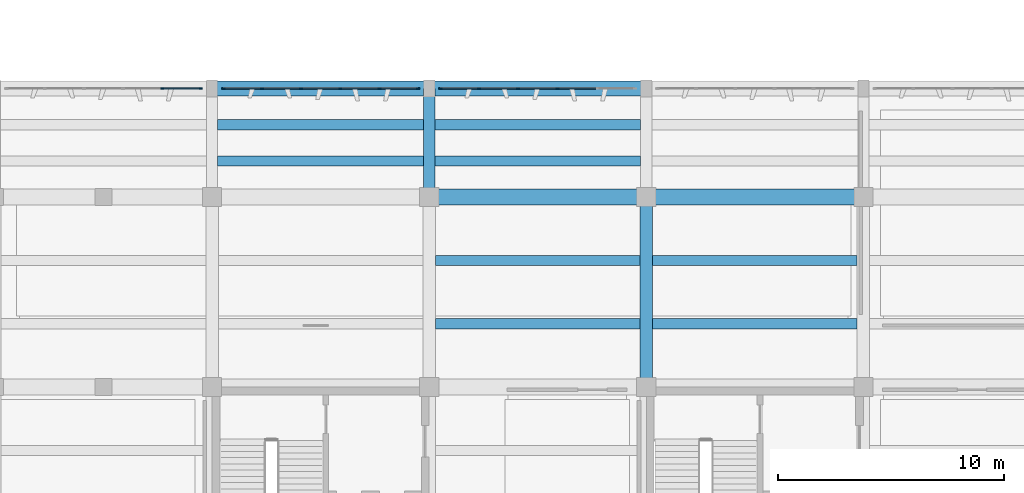
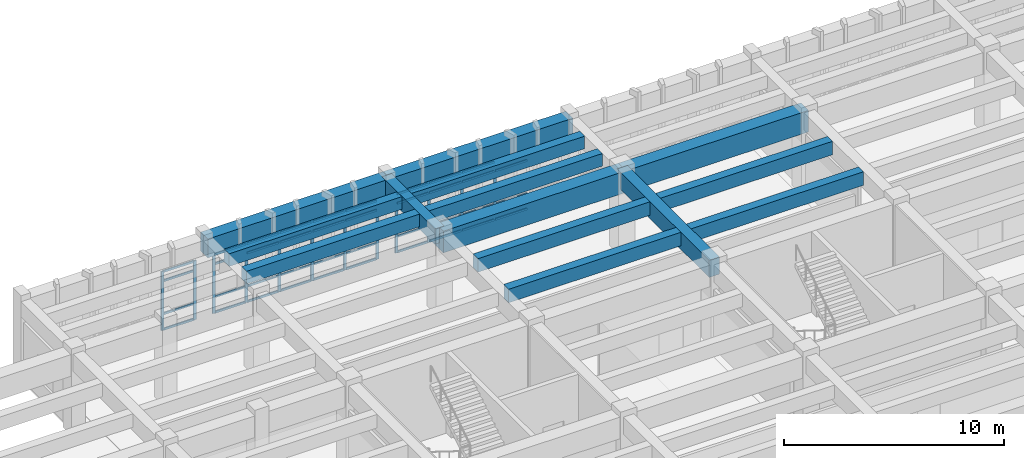
# One storey, part 14 of 86: 51 members, 14 beams, 3 elements without a shape of their own.
"""IFC4 building model written with IfcOpenShell, lengths in metres."""

from ifc_helpers import new_model, si_unit, direction, frame, origin, origin_2d, place, context, subcontext, project, spatial, rectangle, extrude, material, layer, layer_set, material_profile, profile_set, type_object, element, aggregate, save


model = new_model("IFC4")

# Units and contexts
model_context = context("Model", 3, precision=1e-05, world=origin(), true_north=direction((0.0, 1.0)))
body_context = subcontext(model_context, "Body", "Model", "MODEL_VIEW")
ifc_project = project(units=[si_unit("LENGTHUNIT", "METRE"), si_unit("AREAUNIT", "SQUARE_METRE"), si_unit("VOLUMEUNIT", "CUBIC_METRE"), si_unit("PLANEANGLEUNIT", "RADIAN"), si_unit("MASSUNIT", "GRAM", prefix="KILO")], contexts=[model_context])

# Site, building, storey
site_placement = place(None, origin())
site = spatial("IfcSite", under=ifc_project, at=site_placement, CompositionType="ELEMENT")
building_placement = place(site_placement, origin())
building = spatial("IfcBuilding", under=site, at=building_placement, Name="Kolvemor Railside Polytechnic", CompositionType="ELEMENT")
storey_placement = place(building_placement, frame((0.0, 0.0, 5.39990234375)))
storey = spatial("IfcBuildingStorey", under=building, at=storey_placement, Name="L01", CompositionType="ELEMENT", Elevation=5.39990234375)

# Beams
ifc_material_1 = material(Name="Concrete C40/50", Category="concrete")
ifc_material_profile_1 = material_profile(ifc_material_1, rectangle(XDim=0.550048828125, YDim=0.949951171875, at=origin_2d()), Name="RC550x950")
ifc_profile_set_1 = profile_set([ifc_material_profile_1], Name="Concrete C40/50")
beam_type_1 = type_object("IfcBeamType", Name="BM-RC-GIRD", PredefinedType="BEAM", material=ifc_profile_set_1)
beam_1_placement = place(storey_placement, frame((86.39990234375, 30.0, 4.005126953125), z_axis=(0.0, 1.0, 0.0), x_axis=(-1.0, 0.0, 0.0)))
element("IfcBeam", 1, at=beam_1_placement, inside=storey, type_object=beam_type_1, Name="Primary Girder L02-GY 0808", PredefinedType="BEAM", context=body_context, shape_type="SweptSolid", body=[
    extrude(rectangle(XDim=0.550048828125, YDim=0.949951171875, at=origin_2d()), origin(), (0.0, 0.0, 1.0), 8.39990234375),
])
ifc_material_2 = material(Name="Concrete C40/50", Category="concrete")
ifc_material_profile_2 = material_profile(ifc_material_2, rectangle(XDim=0.64990234375, YDim=1.050048828125, at=origin_2d()), Name="RC650x1050")
ifc_profile_set_2 = profile_set([ifc_material_profile_2], Name="Concrete C40/50")
beam_type_2 = type_object("IfcBeamType", Name="BM-RC-GIRD2", PredefinedType="BEAM", material=ifc_profile_set_2)
beam_2_placement = place(storey_placement, frame((67.199951171875, 43.199951171875, 3.955078125), z_axis=(1.0, 0.0, 0.0), x_axis=(0.0, 1.0, 0.0)))
element("IfcBeam", 2, at=beam_2_placement, inside=storey, type_object=beam_type_2, Name="Primary Girder L02-GX 1882", PredefinedType="BEAM", context=body_context, shape_type="SweptSolid", body=[
    extrude(rectangle(XDim=0.64990234375, YDim=1.050048828125, at=origin_2d()), origin(), (0.0, 0.0, 1.0), 9.60009765625),
])
beam_3_placement = place(storey_placement, frame((76.800048828125, 43.199951171875, 3.955078125), z_axis=(1.0, 0.0, 0.0), x_axis=(0.0, 1.0, 0.0)))
element("IfcBeam", 3, at=beam_3_placement, inside=storey, type_object=beam_type_2, Name="Primary Girder L02-GX 1883", PredefinedType="BEAM", context=body_context, shape_type="SweptSolid", body=[
    extrude(rectangle(XDim=0.64990234375, YDim=1.050048828125, at=origin_2d()), origin(), (0.0, 0.0, 1.0), 9.599853515625),
])
ifc_material_3 = material(Name="Concrete C40/50", Category="concrete")
ifc_material_profile_3 = material_profile(ifc_material_3, rectangle(XDim=0.5, YDim=0.85009765625, at=origin_2d()), Name="RC500x850")
ifc_profile_set_3 = profile_set([ifc_material_profile_3], Name="Concrete C40/50")
beam_type_3 = type_object("IfcBeamType", Name="BM-RC-GIRD3", PredefinedType="BEAM", material=ifc_profile_set_3)
beam_4_placement = place(storey_placement, frame((76.800048828125, 38.39990234375, 4.05517578125), z_axis=(0.0, 1.0, 0.0), x_axis=(-1.0, 0.0, 0.0)))
element("IfcBeam", 4, at=beam_4_placement, inside=storey, type_object=beam_type_3, Name="Primary Girder L02-GY 1890", PredefinedType="BEAM", context=body_context, shape_type="SweptSolid", body=[
    extrude(rectangle(XDim=0.5, YDim=0.85009765625, at=origin_2d()), origin(), (0.0, 0.0, 1.0), 4.800048828125),
])
ifc_material_4 = material(Name="Concrete C40/50", Category="concrete")
ifc_material_profile_4 = material_profile(ifc_material_4, rectangle(XDim=0.449951171875, YDim=0.75, at=origin_2d()), Name="RC450x750")
ifc_profile_set_4 = profile_set([ifc_material_profile_4], Name="Concrete C40/50")
beam_type_4 = type_object("IfcBeamType", Name="BM-RC-SEC", PredefinedType="JOIST", material=ifc_profile_set_4)
for number, where, z_axis, x_axis, name in (
    (5, (77.074951171875, 32.800048828125, 4.10498046875), (1.0, 0.0, 0.0), (0.0, 1.0, 0.0), "Floor Joist L02-J0857"),
    (6, (77.074951171875, 35.60009765625, 4.10498046875), (1.0, 0.0, 0.0), (0.0, 1.0, 0.0), "Floor Joist L02-J0858"),
    (7, (86.675048828125, 32.800048828125, 4.10498046875), (1.0, 0.0, 0.0), (0.0, 1.0, 0.0), "Floor Joist L02-J0863"),
    (8, (86.675048828125, 35.60009765625, 4.10498046875), (1.0, 0.0, 0.0), (0.0, 1.0, 0.0), "Floor Joist L02-J0864"),
):
    element("IfcBeam", number, at=place(storey_placement, frame(where, z_axis=z_axis, x_axis=x_axis)), inside=storey, type_object=beam_type_4, Name=name, PredefinedType="JOIST", context=body_context, shape_type="SweptSolid", body=[
        extrude(rectangle(XDim=0.449951171875, YDim=0.75, at=origin_2d()), origin(), (0.0, 0.0, 1.0), 9.050048828125),
    ])
ifc_material_5 = material(Name="Concrete C40/50", Category="concrete")
ifc_material_profile_5 = material_profile(ifc_material_5, rectangle(XDim=0.449951171875, YDim=0.699951171875, at=origin_2d()), Name="RC450x700")
ifc_profile_set_5 = profile_set([ifc_material_profile_5], Name="Concrete C40/50")
beam_type_5 = type_object("IfcBeamType", Name="BM-RC-SEC2", PredefinedType="JOIST", material=ifc_profile_set_5)
for number, where, z_axis, x_axis, name in (
    (9, (67.449951171875, 40.0, 4.130126953125), (1.0, 0.0, 0.0), (0.0, 1.0, 0.0), "Floor Joist L02-J1898"),
    (10, (67.449951171875, 41.60009765625, 4.130126953125), (1.0, 0.0, 0.0), (0.0, 1.0, 0.0), "Floor Joist L02-J1899"),
):
    element("IfcBeam", number, at=place(storey_placement, frame(where, z_axis=z_axis, x_axis=x_axis)), inside=storey, type_object=beam_type_5, Name=name, PredefinedType="JOIST", context=body_context, shape_type="SweptSolid", body=[
        extrude(rectangle(XDim=0.449951171875, YDim=0.699951171875, at=origin_2d()), origin(), (0.0, 0.0, 1.0), 9.10009765625),
    ])
for number, where, z_axis, x_axis, name in (
    (11, (77.050048828125, 40.0, 4.130126953125), (1.0, 0.0, 0.0), (0.0, 1.0, 0.0), "Floor Joist L02-J1900"),
    (12, (77.050048828125, 41.60009765625, 4.130126953125), (1.0, 0.0, 0.0), (0.0, 1.0, 0.0), "Floor Joist L02-J1901"),
):
    element("IfcBeam", number, at=place(storey_placement, frame(where, z_axis=z_axis, x_axis=x_axis)), inside=storey, type_object=beam_type_5, Name=name, PredefinedType="JOIST", context=body_context, shape_type="SweptSolid", body=[
        extrude(rectangle(XDim=0.449951171875, YDim=0.699951171875, at=origin_2d()), origin(), (0.0, 0.0, 1.0), 9.099853515625),
    ])
ifc_material_6 = material(Name="Concrete C40/50", Category="concrete")
ifc_material_profile_6 = material_profile(ifc_material_6, rectangle(XDim=0.699951171875, YDim=1.199951171875, at=origin_2d()), Name="RC700x1200")
ifc_profile_set_6 = profile_set([ifc_material_profile_6], Name="Concrete C40/50")
beam_type_6 = type_object("IfcBeamType", Name="BM-RC-XFER", PredefinedType="BEAM", material=ifc_profile_set_6)
beam_5_placement = place(storey_placement, frame((76.800048828125, 38.39990234375, 3.880126953125), z_axis=(1.0, 0.0, 0.0), x_axis=(0.0, 1.0, 0.0)))
element("IfcBeam", 13, at=beam_5_placement, inside=storey, type_object=beam_type_6, Name="Primary Girder L02-GX 0787", PredefinedType="BEAM", context=body_context, shape_type="SweptSolid", body=[
    extrude(rectangle(XDim=0.699951171875, YDim=1.199951171875, at=origin_2d()), origin(), (0.0, 0.0, 1.0), 9.599853515625),
])
beam_6_placement = place(storey_placement, frame((86.39990234375, 38.39990234375, 3.880126953125), z_axis=(1.0, 0.0, 0.0), x_axis=(0.0, 1.0, 0.0)))
element("IfcBeam", 14, at=beam_6_placement, inside=storey, type_object=beam_type_6, Name="Primary Girder L02-GX 0788", PredefinedType="BEAM", context=body_context, shape_type="SweptSolid", body=[
    extrude(rectangle(XDim=0.699951171875, YDim=1.199951171875, at=origin_2d()), origin(), (0.0, 0.0, 1.0), 9.60009765625),
])

# Curtain wall, members
ifc_material_7 = material(Name="Anodised marine aluminium and laminated low-E glass", Category="aluminium")
ifc_layer = layer(ifc_material_7, 0.179931640625, Name="CW-UNIT-STD")
ifc_layer_set = layer_set([ifc_layer], Name="Anodised marine aluminium and laminated low-E glass")
curtain_wall_type = type_object("IfcCurtainWallType", Name="CW-UNIT-STD", PredefinedType="USERDEFINED", material=ifc_layer_set)
curtain_wall_1_placement = place(storey_placement, origin())
curtain_wall_1 = element("IfcCurtainWall", 15, at=curtain_wall_1_placement, inside=storey, type_object=curtain_wall_type, Name="Curtain Wall L01-113", ObjectType="UNITISED CURTAIN WALL", PredefinedType="USERDEFINED")
ifc_material_8 = material(Name="Anodised marine aluminium 6063-T6", Category="aluminium")
ifc_material_profile_7 = material_profile(ifc_material_8, rectangle(XDim=0.06494140625, YDim=0.14990234375, at=origin_2d()), Name="CW-MUL-65x150")
ifc_profile_set_7 = profile_set([ifc_material_profile_7], Name="Anodised marine aluminium 6063-T6")
member_type_1 = type_object("IfcMemberType", Name="CWM-65x150", PredefinedType="MULLION", material=ifc_profile_set_7)
member_1_placement = place(storey_placement, frame((66.697509765625, 43.199951171875, 0.0), z_axis=(0.0, 0.0, 1.0), x_axis=(0.0, -1.0, 0.0)))
member_1 = element("IfcMember", 16, at=member_1_placement, type_object=member_type_1, Name="CW-STD mullion 1", PredefinedType="MULLION", context=body_context, shape_type="SweptSolid", body=[
    extrude(rectangle(XDim=0.06494140625, YDim=0.14990234375, at=origin_2d()), origin(), (0.0, 0.0, 1.0), 3.280029296875),
])
member_2_placement = place(storey_placement, frame((64.998046875, 43.199951171875, 0.0), z_axis=(0.0, 0.0, 1.0), x_axis=(0.0, -1.0, 0.0)))
member_2 = element("IfcMember", 17, at=member_2_placement, type_object=member_type_1, Name="CW-STD mullion 2", PredefinedType="MULLION", context=body_context, shape_type="SweptSolid", body=[
    extrude(rectangle(XDim=0.06494140625, YDim=0.14990234375, at=origin_2d()), origin(), (0.0, 0.0, 1.0), 3.280029296875),
])

curtain_wall_2_placement = place(storey_placement, origin())
curtain_wall_2 = element("IfcCurtainWall", 18, at=curtain_wall_2_placement, inside=storey, type_object=curtain_wall_type, Name="Curtain Wall L01-114", ObjectType="UNITISED CURTAIN WALL", PredefinedType="USERDEFINED")
member_3_placement = place(storey_placement, frame((76.297607421875, 43.199951171875, 0.0), z_axis=(0.0, 0.0, 1.0), x_axis=(0.0, -1.0, 0.0)))
member_3 = element("IfcMember", 19, at=member_3_placement, type_object=member_type_1, Name="CW-STD mullion 1", PredefinedType="MULLION", context=body_context, shape_type="SweptSolid", body=[
    extrude(rectangle(XDim=0.06494140625, YDim=0.14990234375, at=origin_2d()), origin(), (0.0, 0.0, 1.0), 3.280029296875),
])
member_4_placement = place(storey_placement, frame((74.597900390625, 43.199951171875, 0.0), z_axis=(0.0, 0.0, 1.0), x_axis=(0.0, -1.0, 0.0)))
member_4 = element("IfcMember", 20, at=member_4_placement, type_object=member_type_1, Name="CW-STD mullion 2", PredefinedType="MULLION", context=body_context, shape_type="SweptSolid", body=[
    extrude(rectangle(XDim=0.06494140625, YDim=0.14990234375, at=origin_2d()), origin(), (0.0, 0.0, 1.0), 3.280029296875),
])
member_5_placement = place(storey_placement, frame((72.865966796875, 43.199951171875, 0.0), z_axis=(0.0, 0.0, 1.0), x_axis=(0.0, -1.0, 0.0)))
member_5 = element("IfcMember", 21, at=member_5_placement, type_object=member_type_1, Name="CW-STD mullion 3", PredefinedType="MULLION", context=body_context, shape_type="SweptSolid", body=[
    extrude(rectangle(XDim=0.06494140625, YDim=0.14990234375, at=origin_2d()), origin(), (0.0, 0.0, 1.0), 3.280029296875),
])
member_6_placement = place(storey_placement, frame((71.134033203125, 43.199951171875, 0.0), z_axis=(0.0, 0.0, 1.0), x_axis=(0.0, -1.0, 0.0)))
member_6 = element("IfcMember", 22, at=member_6_placement, type_object=member_type_1, Name="CW-STD mullion 4", PredefinedType="MULLION", context=body_context, shape_type="SweptSolid", body=[
    extrude(rectangle(XDim=0.06494140625, YDim=0.14990234375, at=origin_2d()), origin(), (0.0, 0.0, 1.0), 3.280029296875),
])
member_7_placement = place(storey_placement, frame((69.402099609375, 43.199951171875, 0.0), z_axis=(0.0, 0.0, 1.0), x_axis=(0.0, -1.0, 0.0)))
member_7 = element("IfcMember", 23, at=member_7_placement, type_object=member_type_1, Name="CW-STD mullion 5", PredefinedType="MULLION", context=body_context, shape_type="SweptSolid", body=[
    extrude(rectangle(XDim=0.06494140625, YDim=0.14990234375, at=origin_2d()), origin(), (0.0, 0.0, 1.0), 3.280029296875),
])
member_8_placement = place(storey_placement, frame((67.702392578125, 43.199951171875, 0.0), z_axis=(0.0, 0.0, 1.0), x_axis=(0.0, -1.0, 0.0)))
member_8 = element("IfcMember", 24, at=member_8_placement, type_object=member_type_1, Name="CW-STD mullion 6", PredefinedType="MULLION", context=body_context, shape_type="SweptSolid", body=[
    extrude(rectangle(XDim=0.06494140625, YDim=0.14990234375, at=origin_2d()), origin(), (0.0, 0.0, 1.0), 3.280029296875),
])

curtain_wall_3_placement = place(storey_placement, origin())
curtain_wall_3 = element("IfcCurtainWall", 25, at=curtain_wall_3_placement, inside=storey, type_object=curtain_wall_type, Name="Curtain Wall L01-115", ObjectType="UNITISED CURTAIN WALL", PredefinedType="USERDEFINED")
member_9_placement = place(storey_placement, frame((82.466064453125, 43.199951171875, 0.0), z_axis=(0.0, 0.0, 1.0), x_axis=(0.0, -1.0, 0.0)))
member_9 = element("IfcMember", 26, at=member_9_placement, type_object=member_type_1, Name="CW-STD mullion 3", PredefinedType="MULLION", context=body_context, shape_type="SweptSolid", body=[
    extrude(rectangle(XDim=0.06494140625, YDim=0.14990234375, at=origin_2d()), origin(), (0.0, 0.0, 1.0), 3.280029296875),
])
member_10_placement = place(storey_placement, frame((80.73388671875, 43.199951171875, 0.0), z_axis=(0.0, 0.0, 1.0), x_axis=(0.0, -1.0, 0.0)))
member_10 = element("IfcMember", 27, at=member_10_placement, type_object=member_type_1, Name="CW-STD mullion 4", PredefinedType="MULLION", context=body_context, shape_type="SweptSolid", body=[
    extrude(rectangle(XDim=0.06494140625, YDim=0.14990234375, at=origin_2d()), origin(), (0.0, 0.0, 1.0), 3.280029296875),
])
member_11_placement = place(storey_placement, frame((79.001953125, 43.199951171875, 0.0), z_axis=(0.0, 0.0, 1.0), x_axis=(0.0, -1.0, 0.0)))
member_11 = element("IfcMember", 28, at=member_11_placement, type_object=member_type_1, Name="CW-STD mullion 5", PredefinedType="MULLION", context=body_context, shape_type="SweptSolid", body=[
    extrude(rectangle(XDim=0.06494140625, YDim=0.14990234375, at=origin_2d()), origin(), (0.0, 0.0, 1.0), 3.280029296875),
])
member_12_placement = place(storey_placement, frame((77.302490234375, 43.199951171875, 0.0), z_axis=(0.0, 0.0, 1.0), x_axis=(0.0, -1.0, 0.0)))
member_12 = element("IfcMember", 29, at=member_12_placement, type_object=member_type_1, Name="CW-STD mullion 6", PredefinedType="MULLION", context=body_context, shape_type="SweptSolid", body=[
    extrude(rectangle(XDim=0.06494140625, YDim=0.14990234375, at=origin_2d()), origin(), (0.0, 0.0, 1.0), 3.280029296875),
])

# Member
ifc_material_9 = material(Name="Anodised marine aluminium 6063-T6", Category="aluminium")
ifc_material_profile_8 = material_profile(ifc_material_9, rectangle(XDim=0.06494140625, YDim=0.1201171875, at=origin_2d()), Name="CW-TRN-65x120")
ifc_profile_set_8 = profile_set([ifc_material_profile_8], Name="Anodised marine aluminium 6063-T6")
member_type_2 = type_object("IfcMemberType", Name="CWT-65x120", PredefinedType="USERDEFINED", material=ifc_profile_set_8)
member_13_placement = place(storey_placement, frame((66.6650390625, 43.199951171875, 0.03271484375), z_axis=(-1.0, 0.0, 0.0), x_axis=(0.0, -1.0, 0.0)))
member_13 = element("IfcMember", 30, at=member_13_placement, type_object=member_type_2, Name="CW-STD transom 1.1", ObjectType="TRANSOM", PredefinedType="USERDEFINED", context=body_context, shape_type="SweptSolid", body=[
    extrude(rectangle(XDim=0.06494140625, YDim=0.1201171875, at=origin_2d()), origin(), (0.0, 0.0, 1.0), 1.634521484375),
])

member_14_placement = place(storey_placement, frame((66.6650390625, 43.199951171875, 0.900146484375), z_axis=(-1.0, 0.0, 0.0), x_axis=(0.0, -1.0, 0.0)))
member_14 = element("IfcMember", 31, at=member_14_placement, type_object=member_type_2, Name="CW-STD transom 1.2", ObjectType="TRANSOM", PredefinedType="USERDEFINED", context=body_context, shape_type="SweptSolid", body=[
    extrude(rectangle(XDim=0.06494140625, YDim=0.1201171875, at=origin_2d()), origin(), (0.0, 0.0, 1.0), 1.634521484375),
])

member_15_placement = place(storey_placement, frame((66.6650390625, 43.199951171875, 2.72998046875), z_axis=(-1.0, 0.0, 0.0), x_axis=(0.0, -1.0, 0.0)))
member_15 = element("IfcMember", 32, at=member_15_placement, type_object=member_type_2, Name="CW-STD transom 1.3", ObjectType="TRANSOM", PredefinedType="USERDEFINED", context=body_context, shape_type="SweptSolid", body=[
    extrude(rectangle(XDim=0.06494140625, YDim=0.1201171875, at=origin_2d()), origin(), (0.0, 0.0, 1.0), 1.634521484375),
])

member_16_placement = place(storey_placement, frame((66.6650390625, 43.199951171875, 3.24755859375), z_axis=(-1.0, 0.0, 0.0), x_axis=(0.0, -1.0, 0.0)))
member_16 = element("IfcMember", 33, at=member_16_placement, type_object=member_type_2, Name="CW-STD transom 1.4", ObjectType="TRANSOM", PredefinedType="USERDEFINED", context=body_context, shape_type="SweptSolid", body=[
    extrude(rectangle(XDim=0.06494140625, YDim=0.1201171875, at=origin_2d()), origin(), (0.0, 0.0, 1.0), 1.634521484375),
])

aggregate(curtain_wall_1, [member_1, member_2, member_13, member_14, member_15, member_16])

member_17_placement = place(storey_placement, frame((76.264892578125, 43.199951171875, 0.03271484375), z_axis=(-1.0, 0.0, 0.0), x_axis=(0.0, -1.0, 0.0)))
member_17 = element("IfcMember", 34, at=member_17_placement, type_object=member_type_2, Name="CW-STD transom 1.1", ObjectType="TRANSOM", PredefinedType="USERDEFINED", context=body_context, shape_type="SweptSolid", body=[
    extrude(rectangle(XDim=0.06494140625, YDim=0.1201171875, at=origin_2d()), origin(), (0.0, 0.0, 1.0), 1.63427734375),
])

member_18_placement = place(storey_placement, frame((76.264892578125, 43.199951171875, 0.900146484375), z_axis=(-1.0, 0.0, 0.0), x_axis=(0.0, -1.0, 0.0)))
member_18 = element("IfcMember", 35, at=member_18_placement, type_object=member_type_2, Name="CW-STD transom 1.2", ObjectType="TRANSOM", PredefinedType="USERDEFINED", context=body_context, shape_type="SweptSolid", body=[
    extrude(rectangle(XDim=0.06494140625, YDim=0.1201171875, at=origin_2d()), origin(), (0.0, 0.0, 1.0), 1.63427734375),
])

member_19_placement = place(storey_placement, frame((76.264892578125, 43.199951171875, 2.72998046875), z_axis=(-1.0, 0.0, 0.0), x_axis=(0.0, -1.0, 0.0)))
member_19 = element("IfcMember", 36, at=member_19_placement, type_object=member_type_2, Name="CW-STD transom 1.3", ObjectType="TRANSOM", PredefinedType="USERDEFINED", context=body_context, shape_type="SweptSolid", body=[
    extrude(rectangle(XDim=0.06494140625, YDim=0.1201171875, at=origin_2d()), origin(), (0.0, 0.0, 1.0), 1.63427734375),
])

member_20_placement = place(storey_placement, frame((76.264892578125, 43.199951171875, 3.24755859375), z_axis=(-1.0, 0.0, 0.0), x_axis=(0.0, -1.0, 0.0)))
member_20 = element("IfcMember", 37, at=member_20_placement, type_object=member_type_2, Name="CW-STD transom 1.4", ObjectType="TRANSOM", PredefinedType="USERDEFINED", context=body_context, shape_type="SweptSolid", body=[
    extrude(rectangle(XDim=0.06494140625, YDim=0.1201171875, at=origin_2d()), origin(), (0.0, 0.0, 1.0), 1.63427734375),
])

member_21_placement = place(storey_placement, frame((74.5654296875, 43.199951171875, 0.03271484375), z_axis=(-1.0, 0.0, 0.0), x_axis=(0.0, -1.0, 0.0)))
member_21 = element("IfcMember", 38, at=member_21_placement, type_object=member_type_2, Name="CW-STD transom 2.1", ObjectType="TRANSOM", PredefinedType="USERDEFINED", context=body_context, shape_type="SweptSolid", body=[
    extrude(rectangle(XDim=0.06494140625, YDim=0.1201171875, at=origin_2d()), origin(), (0.0, 0.0, 1.0), 1.6669921875),
])

member_22_placement = place(storey_placement, frame((74.5654296875, 43.199951171875, 0.900146484375), z_axis=(-1.0, 0.0, 0.0), x_axis=(0.0, -1.0, 0.0)))
member_22 = element("IfcMember", 39, at=member_22_placement, type_object=member_type_2, Name="CW-STD transom 2.2", ObjectType="TRANSOM", PredefinedType="USERDEFINED", context=body_context, shape_type="SweptSolid", body=[
    extrude(rectangle(XDim=0.06494140625, YDim=0.1201171875, at=origin_2d()), origin(), (0.0, 0.0, 1.0), 1.6669921875),
])

member_23_placement = place(storey_placement, frame((74.5654296875, 43.199951171875, 2.72998046875), z_axis=(-1.0, 0.0, 0.0), x_axis=(0.0, -1.0, 0.0)))
member_23 = element("IfcMember", 40, at=member_23_placement, type_object=member_type_2, Name="CW-STD transom 2.3", ObjectType="TRANSOM", PredefinedType="USERDEFINED", context=body_context, shape_type="SweptSolid", body=[
    extrude(rectangle(XDim=0.06494140625, YDim=0.1201171875, at=origin_2d()), origin(), (0.0, 0.0, 1.0), 1.6669921875),
])

member_24_placement = place(storey_placement, frame((74.5654296875, 43.199951171875, 3.24755859375), z_axis=(-1.0, 0.0, 0.0), x_axis=(0.0, -1.0, 0.0)))
member_24 = element("IfcMember", 41, at=member_24_placement, type_object=member_type_2, Name="CW-STD transom 2.4", ObjectType="TRANSOM", PredefinedType="USERDEFINED", context=body_context, shape_type="SweptSolid", body=[
    extrude(rectangle(XDim=0.06494140625, YDim=0.1201171875, at=origin_2d()), origin(), (0.0, 0.0, 1.0), 1.6669921875),
])

member_25_placement = place(storey_placement, frame((72.83349609375, 43.199951171875, 0.03271484375), z_axis=(-1.0, 0.0, 0.0), x_axis=(0.0, -1.0, 0.0)))
member_25 = element("IfcMember", 42, at=member_25_placement, type_object=member_type_2, Name="CW-STD transom 3.1", ObjectType="TRANSOM", PredefinedType="USERDEFINED", context=body_context, shape_type="SweptSolid", body=[
    extrude(rectangle(XDim=0.06494140625, YDim=0.1201171875, at=origin_2d()), origin(), (0.0, 0.0, 1.0), 1.6669921875),
])

member_26_placement = place(storey_placement, frame((72.83349609375, 43.199951171875, 0.900146484375), z_axis=(-1.0, 0.0, 0.0), x_axis=(0.0, -1.0, 0.0)))
member_26 = element("IfcMember", 43, at=member_26_placement, type_object=member_type_2, Name="CW-STD transom 3.2", ObjectType="TRANSOM", PredefinedType="USERDEFINED", context=body_context, shape_type="SweptSolid", body=[
    extrude(rectangle(XDim=0.06494140625, YDim=0.1201171875, at=origin_2d()), origin(), (0.0, 0.0, 1.0), 1.6669921875),
])

member_27_placement = place(storey_placement, frame((72.83349609375, 43.199951171875, 2.72998046875), z_axis=(-1.0, 0.0, 0.0), x_axis=(0.0, -1.0, 0.0)))
member_27 = element("IfcMember", 44, at=member_27_placement, type_object=member_type_2, Name="CW-STD transom 3.3", ObjectType="TRANSOM", PredefinedType="USERDEFINED", context=body_context, shape_type="SweptSolid", body=[
    extrude(rectangle(XDim=0.06494140625, YDim=0.1201171875, at=origin_2d()), origin(), (0.0, 0.0, 1.0), 1.6669921875),
])

member_28_placement = place(storey_placement, frame((72.83349609375, 43.199951171875, 3.24755859375), z_axis=(-1.0, 0.0, 0.0), x_axis=(0.0, -1.0, 0.0)))
member_28 = element("IfcMember", 45, at=member_28_placement, type_object=member_type_2, Name="CW-STD transom 3.4", ObjectType="TRANSOM", PredefinedType="USERDEFINED", context=body_context, shape_type="SweptSolid", body=[
    extrude(rectangle(XDim=0.06494140625, YDim=0.1201171875, at=origin_2d()), origin(), (0.0, 0.0, 1.0), 1.6669921875),
])

member_29_placement = place(storey_placement, frame((71.1015625, 43.199951171875, 0.03271484375), z_axis=(-1.0, 0.0, 0.0), x_axis=(0.0, -1.0, 0.0)))
member_29 = element("IfcMember", 46, at=member_29_placement, type_object=member_type_2, Name="CW-STD transom 4.1", ObjectType="TRANSOM", PredefinedType="USERDEFINED", context=body_context, shape_type="SweptSolid", body=[
    extrude(rectangle(XDim=0.06494140625, YDim=0.1201171875, at=origin_2d()), origin(), (0.0, 0.0, 1.0), 1.6669921875),
])

member_30_placement = place(storey_placement, frame((71.1015625, 43.199951171875, 0.900146484375), z_axis=(-1.0, 0.0, 0.0), x_axis=(0.0, -1.0, 0.0)))
member_30 = element("IfcMember", 47, at=member_30_placement, type_object=member_type_2, Name="CW-STD transom 4.2", ObjectType="TRANSOM", PredefinedType="USERDEFINED", context=body_context, shape_type="SweptSolid", body=[
    extrude(rectangle(XDim=0.06494140625, YDim=0.1201171875, at=origin_2d()), origin(), (0.0, 0.0, 1.0), 1.6669921875),
])

member_31_placement = place(storey_placement, frame((71.1015625, 43.199951171875, 2.72998046875), z_axis=(-1.0, 0.0, 0.0), x_axis=(0.0, -1.0, 0.0)))
member_31 = element("IfcMember", 48, at=member_31_placement, type_object=member_type_2, Name="CW-STD transom 4.3", ObjectType="TRANSOM", PredefinedType="USERDEFINED", context=body_context, shape_type="SweptSolid", body=[
    extrude(rectangle(XDim=0.06494140625, YDim=0.1201171875, at=origin_2d()), origin(), (0.0, 0.0, 1.0), 1.6669921875),
])

member_32_placement = place(storey_placement, frame((71.1015625, 43.199951171875, 3.24755859375), z_axis=(-1.0, 0.0, 0.0), x_axis=(0.0, -1.0, 0.0)))
member_32 = element("IfcMember", 49, at=member_32_placement, type_object=member_type_2, Name="CW-STD transom 4.4", ObjectType="TRANSOM", PredefinedType="USERDEFINED", context=body_context, shape_type="SweptSolid", body=[
    extrude(rectangle(XDim=0.06494140625, YDim=0.1201171875, at=origin_2d()), origin(), (0.0, 0.0, 1.0), 1.6669921875),
])

member_33_placement = place(storey_placement, frame((69.369384765625, 43.199951171875, 0.03271484375), z_axis=(-1.0, 0.0, 0.0), x_axis=(0.0, -1.0, 0.0)))
member_33 = element("IfcMember", 50, at=member_33_placement, type_object=member_type_2, Name="CW-STD transom 5.1", ObjectType="TRANSOM", PredefinedType="USERDEFINED", context=body_context, shape_type="SweptSolid", body=[
    extrude(rectangle(XDim=0.06494140625, YDim=0.1201171875, at=origin_2d()), origin(), (0.0, 0.0, 1.0), 1.63427734375),
])

member_34_placement = place(storey_placement, frame((69.369384765625, 43.199951171875, 0.900146484375), z_axis=(-1.0, 0.0, 0.0), x_axis=(0.0, -1.0, 0.0)))
member_34 = element("IfcMember", 51, at=member_34_placement, type_object=member_type_2, Name="CW-STD transom 5.2", ObjectType="TRANSOM", PredefinedType="USERDEFINED", context=body_context, shape_type="SweptSolid", body=[
    extrude(rectangle(XDim=0.06494140625, YDim=0.1201171875, at=origin_2d()), origin(), (0.0, 0.0, 1.0), 1.63427734375),
])

member_35_placement = place(storey_placement, frame((69.369384765625, 43.199951171875, 2.72998046875), z_axis=(-1.0, 0.0, 0.0), x_axis=(0.0, -1.0, 0.0)))
member_35 = element("IfcMember", 52, at=member_35_placement, type_object=member_type_2, Name="CW-STD transom 5.3", ObjectType="TRANSOM", PredefinedType="USERDEFINED", context=body_context, shape_type="SweptSolid", body=[
    extrude(rectangle(XDim=0.06494140625, YDim=0.1201171875, at=origin_2d()), origin(), (0.0, 0.0, 1.0), 1.63427734375),
])

member_36_placement = place(storey_placement, frame((69.369384765625, 43.199951171875, 3.24755859375), z_axis=(-1.0, 0.0, 0.0), x_axis=(0.0, -1.0, 0.0)))
member_36 = element("IfcMember", 53, at=member_36_placement, type_object=member_type_2, Name="CW-STD transom 5.4", ObjectType="TRANSOM", PredefinedType="USERDEFINED", context=body_context, shape_type="SweptSolid", body=[
    extrude(rectangle(XDim=0.06494140625, YDim=0.1201171875, at=origin_2d()), origin(), (0.0, 0.0, 1.0), 1.63427734375),
])

aggregate(curtain_wall_2, [member_3, member_4, member_5, member_6, member_7, member_8, member_17, member_18, member_19, member_20, member_21, member_22, member_23, member_24, member_25, member_26, member_27, member_28, member_29, member_30, member_31, member_32, member_33, member_34, member_35, member_36])

member_37_placement = place(storey_placement, frame((84.16552734375, 43.199951171875, 0.03271484375), z_axis=(-1.0, 0.0, 0.0), x_axis=(0.0, -1.0, 0.0)))
member_37 = element("IfcMember", 54, at=member_37_placement, type_object=member_type_2, Name="CW-STD transom 2.1", ObjectType="TRANSOM", PredefinedType="USERDEFINED", context=body_context, shape_type="SweptSolid", body=[
    extrude(rectangle(XDim=0.06494140625, YDim=0.1201171875, at=origin_2d()), origin(), (0.0, 0.0, 1.0), 1.6669921875),
])

member_38_placement = place(storey_placement, frame((84.16552734375, 43.199951171875, 0.900146484375), z_axis=(-1.0, 0.0, 0.0), x_axis=(0.0, -1.0, 0.0)))
member_38 = element("IfcMember", 55, at=member_38_placement, type_object=member_type_2, Name="CW-STD transom 2.2", ObjectType="TRANSOM", PredefinedType="USERDEFINED", context=body_context, shape_type="SweptSolid", body=[
    extrude(rectangle(XDim=0.06494140625, YDim=0.1201171875, at=origin_2d()), origin(), (0.0, 0.0, 1.0), 1.6669921875),
])

member_39_placement = place(storey_placement, frame((84.16552734375, 43.199951171875, 2.72998046875), z_axis=(-1.0, 0.0, 0.0), x_axis=(0.0, -1.0, 0.0)))
member_39 = element("IfcMember", 56, at=member_39_placement, type_object=member_type_2, Name="CW-STD transom 2.3", ObjectType="TRANSOM", PredefinedType="USERDEFINED", context=body_context, shape_type="SweptSolid", body=[
    extrude(rectangle(XDim=0.06494140625, YDim=0.1201171875, at=origin_2d()), origin(), (0.0, 0.0, 1.0), 1.6669921875),
])

member_40_placement = place(storey_placement, frame((82.43359375, 43.199951171875, 0.03271484375), z_axis=(-1.0, 0.0, 0.0), x_axis=(0.0, -1.0, 0.0)))
member_40 = element("IfcMember", 57, at=member_40_placement, type_object=member_type_2, Name="CW-STD transom 3.1", ObjectType="TRANSOM", PredefinedType="USERDEFINED", context=body_context, shape_type="SweptSolid", body=[
    extrude(rectangle(XDim=0.06494140625, YDim=0.1201171875, at=origin_2d()), origin(), (0.0, 0.0, 1.0), 1.6669921875),
])

member_41_placement = place(storey_placement, frame((82.43359375, 43.199951171875, 0.900146484375), z_axis=(-1.0, 0.0, 0.0), x_axis=(0.0, -1.0, 0.0)))
member_41 = element("IfcMember", 58, at=member_41_placement, type_object=member_type_2, Name="CW-STD transom 3.2", ObjectType="TRANSOM", PredefinedType="USERDEFINED", context=body_context, shape_type="SweptSolid", body=[
    extrude(rectangle(XDim=0.06494140625, YDim=0.1201171875, at=origin_2d()), origin(), (0.0, 0.0, 1.0), 1.6669921875),
])

member_42_placement = place(storey_placement, frame((82.43359375, 43.199951171875, 2.72998046875), z_axis=(-1.0, 0.0, 0.0), x_axis=(0.0, -1.0, 0.0)))
member_42 = element("IfcMember", 59, at=member_42_placement, type_object=member_type_2, Name="CW-STD transom 3.3", ObjectType="TRANSOM", PredefinedType="USERDEFINED", context=body_context, shape_type="SweptSolid", body=[
    extrude(rectangle(XDim=0.06494140625, YDim=0.1201171875, at=origin_2d()), origin(), (0.0, 0.0, 1.0), 1.6669921875),
])

member_43_placement = place(storey_placement, frame((82.43359375, 43.199951171875, 3.24755859375), z_axis=(-1.0, 0.0, 0.0), x_axis=(0.0, -1.0, 0.0)))
member_43 = element("IfcMember", 60, at=member_43_placement, type_object=member_type_2, Name="CW-STD transom 3.4", ObjectType="TRANSOM", PredefinedType="USERDEFINED", context=body_context, shape_type="SweptSolid", body=[
    extrude(rectangle(XDim=0.06494140625, YDim=0.1201171875, at=origin_2d()), origin(), (0.0, 0.0, 1.0), 1.6669921875),
])

member_44_placement = place(storey_placement, frame((80.701416015625, 43.199951171875, 0.03271484375), z_axis=(-1.0, 0.0, 0.0), x_axis=(0.0, -1.0, 0.0)))
member_44 = element("IfcMember", 61, at=member_44_placement, type_object=member_type_2, Name="CW-STD transom 4.1", ObjectType="TRANSOM", PredefinedType="USERDEFINED", context=body_context, shape_type="SweptSolid", body=[
    extrude(rectangle(XDim=0.06494140625, YDim=0.1201171875, at=origin_2d()), origin(), (0.0, 0.0, 1.0), 1.6669921875),
])

member_45_placement = place(storey_placement, frame((80.701416015625, 43.199951171875, 0.900146484375), z_axis=(-1.0, 0.0, 0.0), x_axis=(0.0, -1.0, 0.0)))
member_45 = element("IfcMember", 62, at=member_45_placement, type_object=member_type_2, Name="CW-STD transom 4.2", ObjectType="TRANSOM", PredefinedType="USERDEFINED", context=body_context, shape_type="SweptSolid", body=[
    extrude(rectangle(XDim=0.06494140625, YDim=0.1201171875, at=origin_2d()), origin(), (0.0, 0.0, 1.0), 1.6669921875),
])

member_46_placement = place(storey_placement, frame((80.701416015625, 43.199951171875, 2.72998046875), z_axis=(-1.0, 0.0, 0.0), x_axis=(0.0, -1.0, 0.0)))
member_46 = element("IfcMember", 63, at=member_46_placement, type_object=member_type_2, Name="CW-STD transom 4.3", ObjectType="TRANSOM", PredefinedType="USERDEFINED", context=body_context, shape_type="SweptSolid", body=[
    extrude(rectangle(XDim=0.06494140625, YDim=0.1201171875, at=origin_2d()), origin(), (0.0, 0.0, 1.0), 1.6669921875),
])

member_47_placement = place(storey_placement, frame((80.701416015625, 43.199951171875, 3.24755859375), z_axis=(-1.0, 0.0, 0.0), x_axis=(0.0, -1.0, 0.0)))
member_47 = element("IfcMember", 64, at=member_47_placement, type_object=member_type_2, Name="CW-STD transom 4.4", ObjectType="TRANSOM", PredefinedType="USERDEFINED", context=body_context, shape_type="SweptSolid", body=[
    extrude(rectangle(XDim=0.06494140625, YDim=0.1201171875, at=origin_2d()), origin(), (0.0, 0.0, 1.0), 1.6669921875),
])

member_48_placement = place(storey_placement, frame((78.969482421875, 43.199951171875, 0.03271484375), z_axis=(-1.0, 0.0, 0.0), x_axis=(0.0, -1.0, 0.0)))
member_48 = element("IfcMember", 65, at=member_48_placement, type_object=member_type_2, Name="CW-STD transom 5.1", ObjectType="TRANSOM", PredefinedType="USERDEFINED", context=body_context, shape_type="SweptSolid", body=[
    extrude(rectangle(XDim=0.06494140625, YDim=0.1201171875, at=origin_2d()), origin(), (0.0, 0.0, 1.0), 1.634521484375),
])

member_49_placement = place(storey_placement, frame((78.969482421875, 43.199951171875, 0.900146484375), z_axis=(-1.0, 0.0, 0.0), x_axis=(0.0, -1.0, 0.0)))
member_49 = element("IfcMember", 66, at=member_49_placement, type_object=member_type_2, Name="CW-STD transom 5.2", ObjectType="TRANSOM", PredefinedType="USERDEFINED", context=body_context, shape_type="SweptSolid", body=[
    extrude(rectangle(XDim=0.06494140625, YDim=0.1201171875, at=origin_2d()), origin(), (0.0, 0.0, 1.0), 1.634521484375),
])

member_50_placement = place(storey_placement, frame((78.969482421875, 43.199951171875, 2.72998046875), z_axis=(-1.0, 0.0, 0.0), x_axis=(0.0, -1.0, 0.0)))
member_50 = element("IfcMember", 67, at=member_50_placement, type_object=member_type_2, Name="CW-STD transom 5.3", ObjectType="TRANSOM", PredefinedType="USERDEFINED", context=body_context, shape_type="SweptSolid", body=[
    extrude(rectangle(XDim=0.06494140625, YDim=0.1201171875, at=origin_2d()), origin(), (0.0, 0.0, 1.0), 1.634521484375),
])

member_51_placement = place(storey_placement, frame((78.969482421875, 43.199951171875, 3.24755859375), z_axis=(-1.0, 0.0, 0.0), x_axis=(0.0, -1.0, 0.0)))
member_51 = element("IfcMember", 68, at=member_51_placement, type_object=member_type_2, Name="CW-STD transom 5.4", ObjectType="TRANSOM", PredefinedType="USERDEFINED", context=body_context, shape_type="SweptSolid", body=[
    extrude(rectangle(XDim=0.06494140625, YDim=0.1201171875, at=origin_2d()), origin(), (0.0, 0.0, 1.0), 1.634521484375),
])

aggregate(curtain_wall_3, [member_9, member_10, member_11, member_12, member_37, member_38, member_39, member_40, member_41, member_42, member_43, member_44, member_45, member_46, member_47, member_48, member_49, member_50, member_51])

save(model, "model.ifc")
